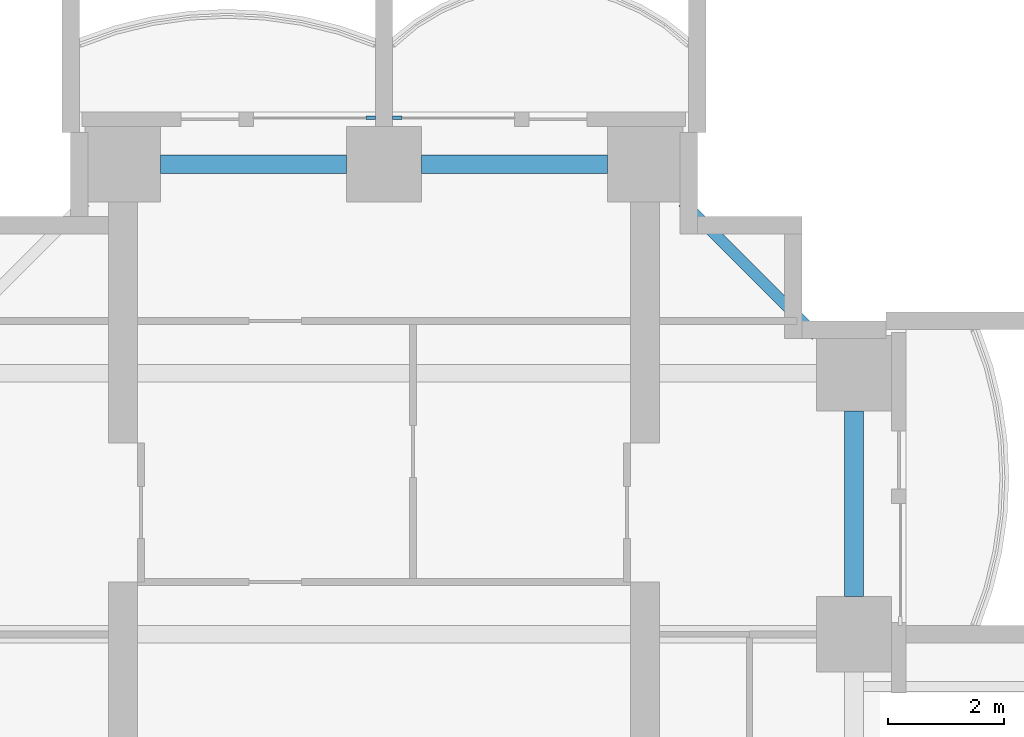
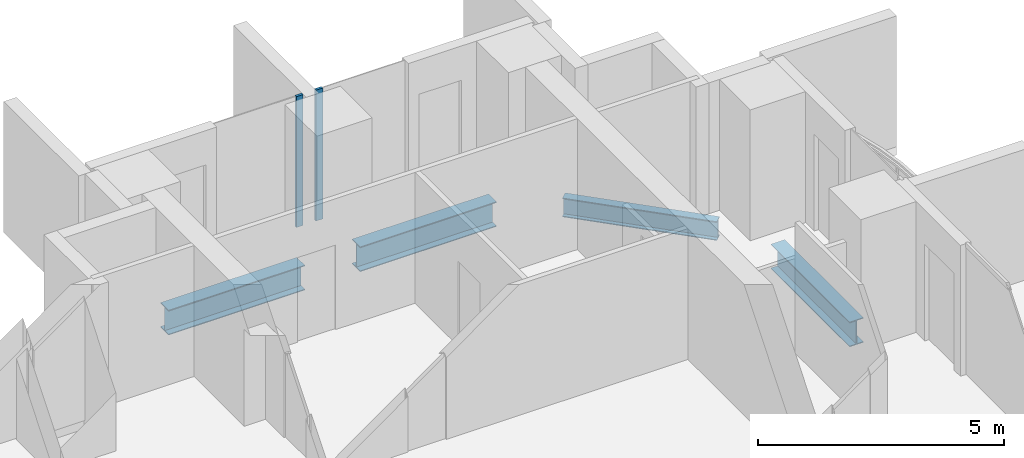
# One storey, part 7 of 20: 4 beams, 2 members, 2 elements without a shape of their own.
"""IFC4 building model written with IfcOpenShell, lengths in metres."""

from ifc_helpers import new_model, si_unit, direction, frame, origin, origin_2d, place, context, subcontext, project, spatial, rectangle, i_section, extrude, material, material_profile, profile_set, type_object, element, aggregate, save


model = new_model("IFC4")

# Units and contexts
model_context = context("Model", 3, precision=1e-05, world=origin(), true_north=direction((0.0, 1.0)))
body_context = subcontext(model_context, "Body", "Model", "MODEL_VIEW")
ifc_project = project(units=[si_unit("LENGTHUNIT", "METRE"), si_unit("AREAUNIT", "SQUARE_METRE"), si_unit("VOLUMEUNIT", "CUBIC_METRE"), si_unit("PLANEANGLEUNIT", "RADIAN"), si_unit("MASSUNIT", "GRAM", prefix="KILO")], contexts=[model_context])

# Site, building, storey
site_placement = place(None, origin())
site = spatial("IfcSite", under=ifc_project, at=site_placement, CompositionType="ELEMENT")
building_placement = place(site_placement, origin())
building = spatial("IfcBuilding", under=site, at=building_placement, Name="Perihelion Cross Residences", CompositionType="ELEMENT")
storey_placement = place(building_placement, frame((0.0, 0.0, 71.5)))
storey = spatial("IfcBuildingStorey", under=building, at=storey_placement, Name="L15", CompositionType="ELEMENT", Elevation=71.5)

# Curtain wall, member
ifc_material_1 = material(Name="Bronze anodised aluminium, tinted glazing", Category="aluminium")
curtain_wall_type = type_object("IfcCurtainWallType", Name="CW1", PredefinedType="NOTDEFINED", material=ifc_material_1)
curtain_wall_1_placement = place(storey_placement, origin())
curtain_wall_1 = element("IfcCurtainWall", 1, at=curtain_wall_1_placement, inside=storey, type_object=curtain_wall_type, Name="Curtain wall CW1 L15 north tip north bay 1", PredefinedType="NOTDEFINED")
ifc_material_2 = material(Name="Bronze anodised aluminium", Category="aluminium")
ifc_material_profile_1 = material_profile(ifc_material_2, rectangle(XDim=0.06005859375, YDim=0.159912109375, at=origin_2d()), Name="CW1 mullion")
ifc_profile_set_1 = profile_set([ifc_material_profile_1], Name="Bronze anodised aluminium")
member_type = type_object("IfcMemberType", Name="CW1 mullion", PredefinedType="MULLION", material=ifc_profile_set_1)
member_1_placement = place(storey_placement, frame((0.22998046875, 26.89990234375, 0.0), z_axis=(0.0, 0.0, 1.0), x_axis=(0.0, -1.0, 0.0)))
member_1 = element("IfcMember", 2, at=member_1_placement, type_object=member_type, Name="CW1 mullion 2", PredefinedType="MULLION", context=body_context, shape_type="SweptSolid", body=[
    extrude(rectangle(XDim=0.06005859375, YDim=0.159912109375, at=origin_2d()), origin(), (0.0, 0.0, 1.0), 3.25),
])
aggregate(curtain_wall_1, [member_1])

curtain_wall_2_placement = place(storey_placement, origin())
curtain_wall_2 = element("IfcCurtainWall", 3, at=curtain_wall_2_placement, inside=storey, type_object=curtain_wall_type, Name="Curtain wall CW1 L15 north tip north bay 2", PredefinedType="NOTDEFINED")
member_2_placement = place(storey_placement, frame((-0.22998046875, 26.89990234375, 0.0), z_axis=(0.0, 0.0, 1.0), x_axis=(0.0, -1.0, 0.0)))
member_2 = element("IfcMember", 4, at=member_2_placement, type_object=member_type, Name="CW1 mullion 1", PredefinedType="MULLION", context=body_context, shape_type="SweptSolid", body=[
    extrude(rectangle(XDim=0.06005859375, YDim=0.159912109375, at=origin_2d()), origin(), (0.0, 0.0, 1.0), 3.25),
])
aggregate(curtain_wall_2, [member_2])

# Beams
ifc_material_3 = material(Name="Steel S355", Category="steel")
ifc_material_profile_2 = material_profile(ifc_material_3, i_section(OverallWidth=0.324951171875, OverallDepth=0.616943359375, WebThickness=0.013916015625, FlangeThickness=0.021484375, at=origin_2d()), Name="W610x174")
ifc_profile_set_2 = profile_set([ifc_material_profile_2], Name="Steel S355")
beam_type_1 = type_object("IfcBeamType", Name="Edge beam W610x174", PredefinedType="SPANDREL", material=ifc_profile_set_2)
for number, where, z_axis, x_axis, name in (
    (5, (8.10009765625, 18.64990234375, -0.55859375), (0.0, 1.0, 0.0), (-1.0, 0.0, 0.0), "Edge beam SB2 L15 no. 19"),
    (6, (3.85009765625, 26.10009765625, -0.55859375), (-1.0, 0.0, 0.0), (0.0, -1.0, 0.0), "Edge beam SB2 L15 no. 15"),
    (7, (-0.64990234375, 26.10009765625, -0.55859375), (-1.0, 0.0, 0.0), (0.0, -1.0, 0.0), "Edge beam SB2 L15 no. 11"),
):
    element("IfcBeam", number, at=place(storey_placement, frame(where, z_axis=z_axis, x_axis=x_axis)), inside=storey, type_object=beam_type_1, Name=name, PredefinedType="SPANDREL", context=body_context, shape_type="SweptSolid", body=[
        extrude(i_section(OverallWidth=0.324951171875, OverallDepth=0.616943359375, WebThickness=0.013916015625, FlangeThickness=0.021484375, at=origin_2d()), origin(), (0.0, 0.0, 1.0), 3.2001953125),
    ])
ifc_material_4 = material(Name="Steel S355", Category="steel")
ifc_material_profile_3 = material_profile(ifc_material_4, i_section(OverallWidth=0.194091796875, OverallDepth=0.469970703125, WebThickness=0.0126953125, FlangeThickness=0.0205078125, at=origin_2d()), Name="W460x106")
ifc_profile_set_3 = profile_set([ifc_material_profile_3], Name="Steel S355")
beam_type_2 = type_object("IfcBeamType", Name="Serration edge beam W460x106", PredefinedType="BEAM", material=ifc_profile_set_3)
beam_placement = place(storey_placement, frame((7.449951171875, 23.14990234375, -0.485107421875), z_axis=(-0.707106781187, 0.707106781187, 0.0), x_axis=(-0.707106781187, -0.707106781187, 0.0)))
element("IfcBeam", 8, at=beam_placement, inside=storey, type_object=beam_type_2, Name="Serration edge beam EB2 L15 no. 4", PredefinedType="BEAM", context=body_context, shape_type="SweptSolid", body=[
    extrude(i_section(OverallWidth=0.194091796875, OverallDepth=0.469970703125, WebThickness=0.0126953125, FlangeThickness=0.0205078125, at=origin_2d()), origin(), (0.0, 0.0, 1.0), 3.252685546875),
])

save(model, "model.ifc")
